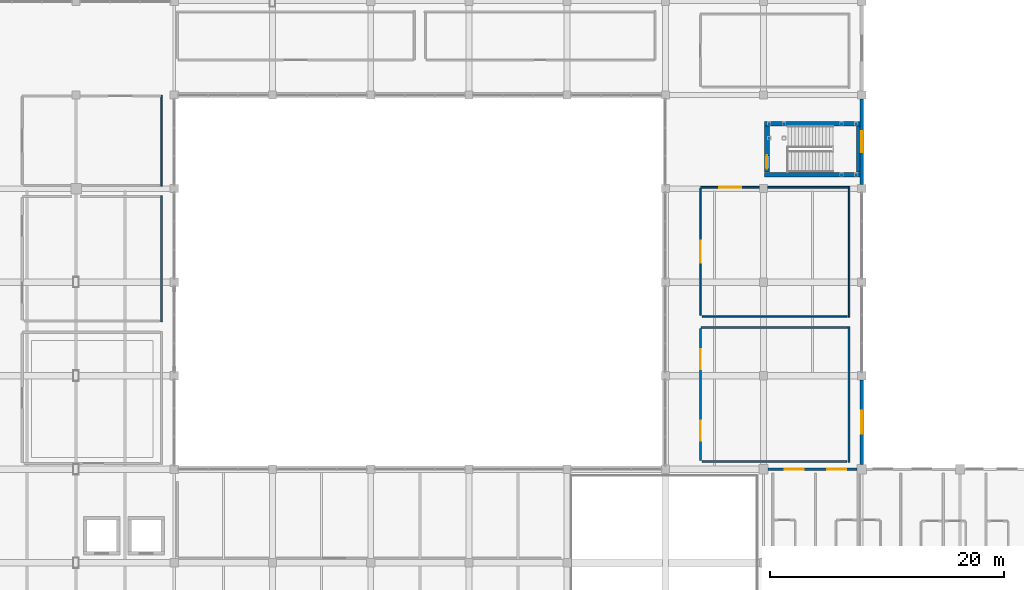
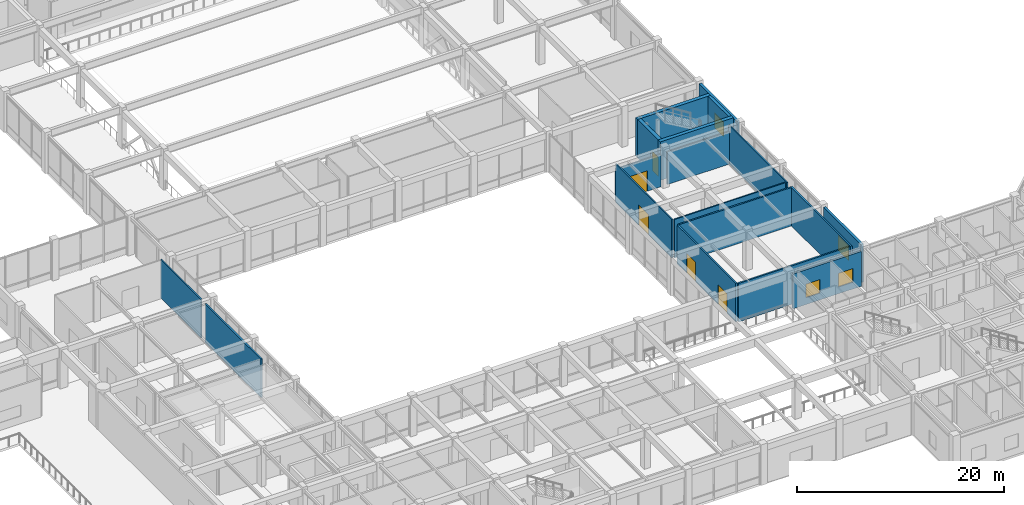
# One storey, part 54 of 76: 18 walls, 5 doors, 4 windows, 9 openings.
"""IFC4 building model written with IfcOpenShell, lengths in metres."""

from ifc_helpers import new_model, si_unit, direction, frame, frame_2d, origin, place, context, subcontext, project, spatial, rectangle, extrude, material, layer, layer_set, type_object, element, fill, save


model = new_model("IFC4")

# Units and contexts
model_context = context("Model", 3, precision=1e-05, world=origin(), true_north=direction((0.0, 1.0)))
body_context = subcontext(model_context, "Body", "Model", "MODEL_VIEW")
ifc_project = project(units=[si_unit("LENGTHUNIT", "METRE"), si_unit("AREAUNIT", "SQUARE_METRE"), si_unit("VOLUMEUNIT", "CUBIC_METRE"), si_unit("PLANEANGLEUNIT", "RADIAN"), si_unit("MASSUNIT", "GRAM", prefix="KILO")], contexts=[model_context])

# Site, building, storey
site_placement = place(None, origin())
site = spatial("IfcSite", under=ifc_project, at=site_placement, CompositionType="ELEMENT")
building_placement = place(site_placement, origin())
building = spatial("IfcBuilding", under=site, at=building_placement, Name="Naruveol Harbour Congress Hotel", CompositionType="ELEMENT")
storey_placement = place(building_placement, frame((0.0, 0.0, 11.39990234375)))
storey = spatial("IfcBuildingStorey", under=building, at=storey_placement, Name="L02", CompositionType="ELEMENT", Elevation=11.39990234375)

# Wall, openings, doors
ifc_material_1 = material(Name="Autoclaved Aerated Concrete Block", Category="concrete")
ifc_layer_1 = layer(ifc_material_1, 0.179931640625)
ifc_layer_set_1 = layer_set([ifc_layer_1], Name="Autoclaved Aerated Concrete Block")
wall_type_1 = type_object("IfcWallType", Name="ACOUSTIC HALL PARTITION WALL 180 EI60", PredefinedType="PARTITIONING", material=ifc_layer_set_1)
wall_1_placement = place(storey_placement, frame((112.199951171875, 32.760009765625, 0.0), z_axis=(0.0, 0.0, 1.0), x_axis=(0.0, 1.0, 0.0)))
wall_1 = element("IfcWall", 1, at=wall_1_placement, inside=storey, type_object=wall_type_1, Name="Meeting Room 206 west entry wall PW-180", PredefinedType="PARTITIONING", context=body_context, shape_type="SweptSolid", body=[
    extrude(rectangle(XDim=11.280029296875, YDim=0.179931640625, at=frame_2d((5.64013671875, 0.0))), origin(), (0.0, 0.0, 1.0), 4.53515625),
])
opening_1_placement = place(wall_1_placement, frame((1.699951171875, 0.0, 0.0)))
opening_1 = element("IfcOpeningElement", 2, at=opening_1_placement, cuts=wall_1, Name="Opening ID-MT-73", PredefinedType="OPENING", context=body_context, shape_type="SweptSolid", body=[
    extrude(rectangle(XDim=1.699951171875, YDim=2.300048828125, at=frame_2d((0.85009765625, 1.14990234375))), frame((0.0, 0.099853515625, 0.0), z_axis=(0.0, -1.0, 0.0), x_axis=(1.0, 0.0, 0.0)), (0.0, 0.0, 1.0), 0.199951171875),
])
opening_2_placement = place(wall_1_placement, frame((7.800048828125, 0.0, 0.0)))
opening_2 = element("IfcOpeningElement", 3, at=opening_2_placement, cuts=wall_1, Name="Opening ID-MT-73B", PredefinedType="OPENING", context=body_context, shape_type="SweptSolid", body=[
    extrude(rectangle(XDim=1.699951171875, YDim=2.300048828125, at=frame_2d((0.85009765625, 1.14990234375))), frame((0.0, 0.099853515625, 0.0), z_axis=(0.0, -1.0, 0.0), x_axis=(1.0, 0.0, 0.0)), (0.0, 0.0, 1.0), 0.199951171875),
])
ifc_material_2 = material(Name="Timber & Steel Acoustic Leaf", Category="steel")
door_type_1 = type_object("IfcDoorType", Name="MEETING SALON DOUBLE DOOR 1700X2300", OperationType="DOUBLE_DOOR_SINGLE_SWING", PredefinedType="DOOR", material=ifc_material_2)
door_1_placement = place(opening_1_placement, origin())
door_1 = element("IfcDoor", 4, at=door_1_placement, inside=storey, type_object=door_type_1, Name="Meeting Room 206 Entrance Door", OperationType="DOUBLE_DOOR_SINGLE_SWING", OverallHeight=2.300048828125, OverallWidth=1.699951171875, PredefinedType="DOOR", context=body_context, shape_type="SweptSolid", body=[
    extrude(rectangle(XDim=1.699951171875, YDim=2.300048828125, at=frame_2d((0.85009765625, 1.14990234375))), frame((0.0, 0.02490234375, 0.0), z_axis=(0.0, -1.0, 0.0), x_axis=(1.0, 0.0, 0.0)), (0.0, 0.0, 1.0), 0.050048828125),
])
fill(opening_1, door_1)
door_2_placement = place(opening_2_placement, origin())
door_2 = element("IfcDoor", 5, at=door_2_placement, inside=storey, type_object=door_type_1, Name="Meeting Room 206 Second Exit Door", OperationType="DOUBLE_DOOR_SINGLE_SWING", OverallHeight=2.300048828125, OverallWidth=1.699951171875, PredefinedType="DOOR", context=body_context, shape_type="SweptSolid", body=[
    extrude(rectangle(XDim=1.699951171875, YDim=2.300048828125, at=frame_2d((0.85009765625, 1.14990234375))), frame((0.0, 0.02490234375, 0.0), z_axis=(0.0, -1.0, 0.0), x_axis=(1.0, 0.0, 0.0)), (0.0, 0.0, 1.0), 0.050048828125),
])
fill(opening_2, door_2)

# Walls
wall_2_placement = place(storey_placement, frame((112.340087890625, 32.679931640625, 0.0), z_axis=(0.0, 0.0, 1.0), x_axis=(1.0, 0.0, 0.0)))
element("IfcWall", 6, at=wall_2_placement, inside=storey, type_object=wall_type_1, Name="Meeting Room 206 south partition PW-180", PredefinedType="PARTITIONING", context=body_context, shape_type="SweptSolid", body=[
    extrude(rectangle(XDim=12.409912109375, YDim=0.179931640625, at=frame_2d((6.205078125, 0.0))), origin(), (0.0, 0.0, 1.0), 4.53515625),
])
wall_3_placement = place(storey_placement, frame((66.1201171875, 44.60009765625, 0.0), z_axis=(0.0, 0.0, 1.0), x_axis=(0.0, 1.0, 0.0)))
element("IfcWall", 7, at=wall_3_placement, inside=storey, type_object=wall_type_1, Name="Meeting Room 203 east enclosure partition PW-180", PredefinedType="PARTITIONING", context=body_context, shape_type="SweptSolid", body=[
    extrude(rectangle(XDim=10.7998046875, YDim=0.179931640625, at=frame_2d((5.39990234375, 0.0))), origin(), (0.0, 0.0, 1.0), 4.53515625),
])
wall_4_placement = place(storey_placement, frame((124.919921875, 32.60009765625, 0.0), z_axis=(0.0, 0.0, 1.0), x_axis=(0.0, 1.0, 0.0)))
element("IfcWall", 8, at=wall_4_placement, inside=storey, type_object=wall_type_1, Name="Meeting Room 206 east enclosure partition PW-180", PredefinedType="PARTITIONING", context=body_context, shape_type="SweptSolid", body=[
    extrude(rectangle(XDim=11.599853515625, YDim=0.179931640625, at=frame_2d((5.7998046875, 0.0))), origin(), (0.0, 0.0, 1.0), 4.53515625),
])
wall_5_placement = place(storey_placement, frame((112.23193359375, 44.1201171875, 0.0), z_axis=(0.0, 0.0, 1.0), x_axis=(1.0, 0.0, 0.0)))
element("IfcWall", 9, at=wall_5_placement, inside=storey, type_object=wall_type_1, Name="Meeting Room 206 north enclosure partition PW-180", PredefinedType="PARTITIONING", context=body_context, shape_type="SweptSolid", body=[
    extrude(rectangle(XDim=12.59814453125, YDim=0.179931640625, at=frame_2d((6.299072265625, 0.0))), origin(), (0.0, 0.0, 1.0), 4.53515625),
])

# Wall, opening, door
ifc_material_3 = material(Name="Acoustic Double Stud Gypsum", Category="gypsum")
ifc_layer_2 = layer(ifc_material_3, 0.139892578125)
ifc_layer_set_2 = layer_set([ifc_layer_2], Name="Acoustic Double Stud Gypsum")
wall_type_2 = type_object("IfcWallType", Name="ACOUSTIC MEETING PARTITION WALL 140", PredefinedType="PARTITIONING", material=ifc_layer_set_2)
wall_6_placement = place(storey_placement, frame((112.199951171875, 45.159912109375, 0.0), z_axis=(0.0, 0.0, 1.0), x_axis=(0.0, 1.0, 0.0)))
wall_6 = element("IfcWall", 10, at=wall_6_placement, inside=storey, type_object=wall_type_2, Name="Breakout Salon 207 west entry wall PW-140", PredefinedType="PARTITIONING", context=body_context, shape_type="SweptSolid", body=[
    extrude(rectangle(XDim=10.880126953125, YDim=0.139892578125, at=frame_2d((5.43994140625, 0.0))), origin(), (0.0, 0.0, 1.0), 4.53515625),
])
opening_3_placement = place(wall_6_placement, frame((4.489990234375, 0.0, 0.0)))
opening_3 = element("IfcOpeningElement", 11, at=opening_3_placement, cuts=wall_6, Name="Opening ID-LG-74", PredefinedType="OPENING", context=body_context, shape_type="SweptSolid", body=[
    extrude(rectangle(XDim=1.89990234375, YDim=2.39990234375, at=frame_2d((0.949951171875, 1.199951171875))), frame((0.0, 0.079833984375, 0.0), z_axis=(0.0, -1.0, 0.0), x_axis=(1.0, 0.0, 0.0)), (0.0, 0.0, 1.0), 0.159912109375),
])
ifc_material_4 = material(Name="Timber & Steel Acoustic Leaf", Category="steel")
door_type_2 = type_object("IfcDoorType", Name="RESTAURANT AND LOUNGE GLAZED DOOR 1900X2400", OperationType="DOUBLE_DOOR_SINGLE_SWING", PredefinedType="DOOR", material=ifc_material_4)
door_3_placement = place(opening_3_placement, origin())
door_3 = element("IfcDoor", 12, at=door_3_placement, inside=storey, type_object=door_type_2, Name="Breakout Salon 207 Entrance Door", OperationType="DOUBLE_DOOR_SINGLE_SWING", OverallHeight=2.39990234375, OverallWidth=1.89990234375, PredefinedType="DOOR", context=body_context, shape_type="SweptSolid", body=[
    extrude(rectangle(XDim=1.89990234375, YDim=2.39990234375, at=frame_2d((0.949951171875, 1.199951171875))), frame((0.0, 0.02490234375, 0.0), z_axis=(0.0, -1.0, 0.0), x_axis=(1.0, 0.0, 0.0)), (0.0, 0.0, 1.0), 0.050048828125),
])
fill(opening_3, door_3)

# Walls
wall_7_placement = place(storey_placement, frame((112.340087890625, 45.080078125, 0.0), z_axis=(0.0, 0.0, 1.0), x_axis=(1.0, 0.0, 0.0)))
element("IfcWall", 13, at=wall_7_placement, inside=storey, type_object=wall_type_2, Name="Breakout Salon 207 south partition PW-140", PredefinedType="PARTITIONING", context=body_context, shape_type="SweptSolid", body=[
    extrude(rectangle(XDim=12.409912109375, YDim=0.139892578125, at=frame_2d((6.205078125, 0.0))), origin(), (0.0, 0.0, 1.0), 4.53515625),
])
wall_8_placement = place(storey_placement, frame((66.1201171875, 56.199951171875, 0.0), z_axis=(0.0, 0.0, 1.0), x_axis=(0.0, 1.0, 0.0)))
element("IfcWall", 14, at=wall_8_placement, inside=storey, type_object=wall_type_2, Name="Breakout Salon 204 east enclosure partition PW-140", PredefinedType="PARTITIONING", context=body_context, shape_type="SweptSolid", body=[
    extrude(rectangle(XDim=7.800048828125, YDim=0.139892578125, at=frame_2d((3.89990234375, 0.0))), origin(), (0.0, 0.0, 1.0), 4.53515625),
])
wall_9_placement = place(storey_placement, frame((124.919921875, 45.0, 0.0), z_axis=(0.0, 0.0, 1.0), x_axis=(0.0, 1.0, 0.0)))
element("IfcWall", 15, at=wall_9_placement, inside=storey, type_object=wall_type_2, Name="Breakout Salon 207 east enclosure partition PW-140", PredefinedType="PARTITIONING", context=body_context, shape_type="SweptSolid", body=[
    extrude(rectangle(XDim=11.199951171875, YDim=0.139892578125, at=frame_2d((5.60009765625, 0.0))), origin(), (0.0, 0.0, 1.0), 4.53515625),
])

# Wall, opening, door
wall_10_placement = place(storey_placement, frame((112.2119140625, 56.1201171875, 0.0), z_axis=(0.0, 0.0, 1.0), x_axis=(1.0, 0.0, 0.0)))
wall_10 = element("IfcWall", 16, at=wall_10_placement, inside=storey, type_object=wall_type_2, Name="Breakout Salon 207 north enclosure partition PW-140", PredefinedType="PARTITIONING", context=body_context, shape_type="SweptSolid", body=[
    extrude(rectangle(XDim=5.0380859375, YDim=0.139892578125, at=frame_2d((2.51904296875, 0.0))), origin(), (0.0, 0.0, 1.0), 3.85009765625),
])
opening_4_placement = place(wall_10_placement, frame((1.60009765625, 0.0, 0.0)))
opening_4 = element("IfcOpeningElement", 17, at=opening_4_placement, cuts=wall_10, Name="Opening ID-LG-74B", PredefinedType="OPENING", context=body_context, shape_type="SweptSolid", body=[
    extrude(rectangle(XDim=1.89990234375, YDim=2.39990234375, at=frame_2d((0.949951171875, 1.199951171875))), frame((0.0, 0.079833984375, 0.0), z_axis=(0.0, -1.0, 0.0), x_axis=(1.0, 0.0, 0.0)), (0.0, 0.0, 1.0), 0.159912109375),
])
door_4_placement = place(opening_4_placement, origin())
door_4 = element("IfcDoor", 18, at=door_4_placement, inside=storey, type_object=door_type_2, Name="Breakout Salon 207 Second Exit Door", OperationType="DOUBLE_DOOR_SINGLE_SWING", OverallHeight=2.39990234375, OverallWidth=1.89990234375, PredefinedType="DOOR", context=body_context, shape_type="SweptSolid", body=[
    extrude(rectangle(XDim=1.89990234375, YDim=2.39990234375, at=frame_2d((0.949951171875, 1.199951171875))), frame((0.0, 0.02490234375, 0.0), z_axis=(0.0, -1.0, 0.0), x_axis=(1.0, 0.0, 0.0)), (0.0, 0.0, 1.0), 0.050048828125),
])
fill(opening_4, door_4)

# Wall
wall_11_placement = place(storey_placement, frame((117.949951171875, 56.1201171875, 0.0), z_axis=(0.0, 0.0, 1.0), x_axis=(1.0, 0.0, 0.0)))
element("IfcWall", 19, at=wall_11_placement, inside=storey, type_object=wall_type_2, Name="Breakout Salon 207 north enclosure partition PW-140", PredefinedType="PARTITIONING", context=body_context, shape_type="SweptSolid", body=[
    extrude(rectangle(XDim=6.900146484375, YDim=0.139892578125, at=frame_2d((3.4501953125, 0.0))), origin(), (0.0, 0.0, 1.0), 3.85009765625),
])

# Wall, opening, window
ifc_material_5 = material(Name="Precast concrete C40/50", Category="concrete")
ifc_layer_3 = layer(ifc_material_5, 0.280029296875)
ifc_layer_set_3 = layer_set([ifc_layer_3], Name="Precast concrete C40/50")
wall_type_3 = type_object("IfcWallType", Name="ARCHITECTURAL PRECAST FACADE WALL 280", PredefinedType="SOLIDWALL", material=ifc_layer_set_3)
wall_12_placement = place(storey_placement, frame((126.0, 63.64990234375, 0.0), z_axis=(0.0, 0.0, 1.0), x_axis=(0.0, -1.0, 0.0)))
wall_12 = element("IfcWall", 20, at=wall_12_placement, inside=storey, type_object=wall_type_3, Name="Courtyard wing east garden wall EW-280", PredefinedType="SOLIDWALL", context=body_context, shape_type="SweptSolid", body=[
    extrude(rectangle(XDim=7.2998046875, YDim=0.280029296875, at=frame_2d((3.64990234375, 0.0))), origin(), (0.0, 0.0, 1.0), 4.5),
])
opening_5_placement = place(wall_12_placement, frame((2.75, 0.0, 1.0)))
opening_5 = element("IfcOpeningElement", 21, at=opening_5_placement, cuts=wall_12, Name="Opening W-04", PredefinedType="OPENING", context=body_context, shape_type="SweptSolid", body=[
    extrude(rectangle(XDim=1.800048828125, YDim=1.699951171875, at=frame_2d((0.89990234375, 0.85009765625))), frame((0.0, 0.14990234375, 0.0), z_axis=(0.0, -1.0, 0.0), x_axis=(1.0, 0.0, 0.0)), (0.0, 0.0, 1.0), 0.300048828125),
])
ifc_material_6 = material(Name="Low-E Triple Glazing in Thermal Aluminium", Category="aluminium")
window_type_1 = type_object("IfcWindowType", Name="DELUXE PANORAMA WINDOW 1800X1700", PartitioningType="DOUBLE_PANEL_VERTICAL", PredefinedType="WINDOW", material=ifc_material_6)
window_1_placement = place(opening_5_placement, origin())
window_1 = element("IfcWindow", 22, at=window_1_placement, inside=storey, type_object=window_type_1, Name="Window W-04 #150", OverallHeight=1.699951171875, OverallWidth=1.800048828125, PartitioningType="DOUBLE_PANEL_VERTICAL", PredefinedType="WINDOW", context=body_context, shape_type="SweptSolid", body=[
    extrude(rectangle(XDim=1.800048828125, YDim=1.699951171875, at=frame_2d((0.89990234375, 0.85009765625))), frame((0.0, 0.030029296875, 0.0), z_axis=(0.0, -1.0, 0.0), x_axis=(1.0, 0.0, 0.0)), (0.0, 0.0, 1.0), 0.06005859375),
])
fill(opening_5, window_1)

wall_13_placement = place(storey_placement, frame((126.0, 39.64990234375, 0.0), z_axis=(0.0, 0.0, 1.0), x_axis=(0.0, -1.0, 0.0)))
wall_13 = element("IfcWall", 23, at=wall_13_placement, inside=storey, type_object=wall_type_3, Name="Courtyard wing east garden wall EW-280", PredefinedType="SOLIDWALL", context=body_context, shape_type="SweptSolid", body=[
    extrude(rectangle(XDim=7.25, YDim=0.280029296875, at=frame_2d((3.625, 0.0))), origin(), (0.0, 0.0, 1.0), 4.5),
])
opening_6_placement = place(wall_13_placement, frame((2.625, 0.0, 1.0)))
opening_6 = element("IfcOpeningElement", 24, at=opening_6_placement, cuts=wall_13, Name="Opening W-05", PredefinedType="OPENING", context=body_context, shape_type="SweptSolid", body=[
    extrude(rectangle(XDim=2.0, YDim=1.75, at=frame_2d((1.0, 0.875))), frame((0.0, 0.14990234375, 0.0), z_axis=(0.0, -1.0, 0.0), x_axis=(1.0, 0.0, 0.0)), (0.0, 0.0, 1.0), 0.300048828125),
])
ifc_material_7 = material(Name="Low-E Triple Glazing in Thermal Aluminium", Category="aluminium")
window_type_2 = type_object("IfcWindowType", Name="GARDEN SUITE WINDOW 2000X1750", PartitioningType="DOUBLE_PANEL_VERTICAL", PredefinedType="WINDOW", material=ifc_material_7)
window_2_placement = place(opening_6_placement, origin())
window_2 = element("IfcWindow", 25, at=window_2_placement, inside=storey, type_object=window_type_2, Name="Window W-05 #151", OverallHeight=1.75, OverallWidth=2.0, PartitioningType="DOUBLE_PANEL_VERTICAL", PredefinedType="WINDOW", context=body_context, shape_type="SweptSolid", body=[
    extrude(rectangle(XDim=2.0, YDim=1.75, at=frame_2d((1.0, 0.875))), frame((0.0, 0.030029296875, 0.0), z_axis=(0.0, -1.0, 0.0), x_axis=(1.0, 0.0, 0.0)), (0.0, 0.0, 1.0), 0.06005859375),
])
fill(opening_6, window_2)

# Wall, openings, windows
ifc_material_8 = material(Name="Concrete C40/50", Category="concrete")
ifc_layer_4 = layer(ifc_material_8, 0.239990234375)
ifc_layer_set_4 = layer_set([ifc_layer_4], Name="Concrete C40/50")
wall_type_4 = type_object("IfcWallType", Name="INSULATED HOTEL SPANDREL WALL 240", PredefinedType="SOLIDWALL", material=ifc_layer_set_4)
wall_14_placement = place(storey_placement, frame((118.0, 32.0, 0.0), z_axis=(0.0, 0.0, 1.0), x_axis=(1.0, 0.0, 0.0)))
wall_14 = element("IfcWall", 26, at=wall_14_placement, inside=storey, type_object=wall_type_4, Name="Hotel north bay wall L02 EW-240", PredefinedType="SOLIDWALL", context=body_context, shape_type="SweptSolid", body=[
    extrude(rectangle(XDim=7.60009765625, YDim=0.239990234375, at=frame_2d((3.800048828125, 0.0))), origin(), (0.0, 0.0, 1.0), 4.10009765625),
])
opening_7_placement = place(wall_14_placement, frame((1.419921875, 0.0, 0.800048828125)))
opening_7 = element("IfcOpeningElement", 27, at=opening_7_placement, cuts=wall_14, Name="Opening W-03", PredefinedType="OPENING", context=body_context, shape_type="SweptSolid", body=[
    extrude(rectangle(XDim=1.60009765625, YDim=1.60009765625, at=frame_2d((0.800048828125, 0.800048828125))), frame((0.0, 0.1298828125, 0.0), z_axis=(0.0, -1.0, 0.0), x_axis=(1.0, 0.0, 0.0)), (0.0, 0.0, 1.0), 0.260009765625),
])
opening_8_placement = place(wall_14_placement, frame((5.06494140625, 0.0, 0.800048828125)))
opening_8 = element("IfcOpeningElement", 28, at=opening_8_placement, cuts=wall_14, Name="Opening W-03", PredefinedType="OPENING", context=body_context, shape_type="SweptSolid", body=[
    extrude(rectangle(XDim=1.60009765625, YDim=1.60009765625, at=frame_2d((0.800048828125, 0.800048828125))), frame((0.0, 0.1298828125, 0.0), z_axis=(0.0, -1.0, 0.0), x_axis=(1.0, 0.0, 0.0)), (0.0, 0.0, 1.0), 0.260009765625),
])
ifc_material_9 = material(Name="Low-E Triple Glazing in Thermal Aluminium", Category="aluminium")
window_type_3 = type_object("IfcWindowType", Name="DELUXE GUEST WINDOW 1600X1600", PartitioningType="SINGLE_PANEL", PredefinedType="WINDOW", material=ifc_material_9)
window_3_placement = place(opening_7_placement, origin())
window_3 = element("IfcWindow", 29, at=window_3_placement, inside=storey, type_object=window_type_3, Name="Window W-03 #186", OverallHeight=1.60009765625, OverallWidth=1.60009765625, PartitioningType="SINGLE_PANEL", PredefinedType="WINDOW", context=body_context, shape_type="SweptSolid", body=[
    extrude(rectangle(XDim=1.60009765625, YDim=1.60009765625, at=frame_2d((0.800048828125, 0.800048828125))), frame((0.0, 0.030029296875, 0.0), z_axis=(0.0, -1.0, 0.0), x_axis=(1.0, 0.0, 0.0)), (0.0, 0.0, 1.0), 0.06005859375),
])
fill(opening_7, window_3)
window_4_placement = place(opening_8_placement, origin())
window_4 = element("IfcWindow", 30, at=window_4_placement, inside=storey, type_object=window_type_3, Name="Window W-03 #187", OverallHeight=1.60009765625, OverallWidth=1.60009765625, PartitioningType="SINGLE_PANEL", PredefinedType="WINDOW", context=body_context, shape_type="SweptSolid", body=[
    extrude(rectangle(XDim=1.60009765625, YDim=1.60009765625, at=frame_2d((0.800048828125, 0.800048828125))), frame((0.0, 0.030029296875, 0.0), z_axis=(0.0, -1.0, 0.0), x_axis=(1.0, 0.0, 0.0)), (0.0, 0.0, 1.0), 0.06005859375),
])
fill(opening_8, window_4)

# Walls
ifc_material_10 = material(Name="Concrete C50/60", Category="concrete")
ifc_layer_5 = layer(ifc_material_10, 0.39990234375)
ifc_layer_set_5 = layer_set([ifc_layer_5], Name="Concrete C50/60")
wall_type_5 = type_object("IfcWallType", Name="RC CORE SHEAR WALL 400 EI120", PredefinedType="SHEAR", material=ifc_layer_set_5)
for number, where, z_axis, x_axis, name in (
    (31, (117.699951171875, 57.199951171875, 0.0), (0.0, 0.0, 1.0), (1.0, 0.0, 0.0), "Stair ST9 south core wall CW-400"),
    (32, (117.699951171875, 61.56005859375, 0.0), (0.0, 0.0, 1.0), (1.0, 0.0, 0.0), "Stair ST9 north core wall CW-400"),
):
    element("IfcWall", number, at=place(storey_placement, frame(where, z_axis=z_axis, x_axis=x_axis)), inside=storey, type_object=wall_type_5, Name=name, PredefinedType="SHEAR", context=body_context, shape_type="SweptSolid", body=[
        extrude(rectangle(XDim=8.150146484375, YDim=0.39990234375, at=frame_2d((4.0751953125, 0.0))), origin(), (0.0, 0.0, 1.0), 4.53515625),
    ])

# Wall, opening, door
wall_15_placement = place(storey_placement, frame((117.89990234375, 57.405029296875, 0.0), z_axis=(0.0, 0.0, 1.0), x_axis=(0.0, 1.0, 0.0)))
wall_15 = element("IfcWall", 33, at=wall_15_placement, inside=storey, type_object=wall_type_5, Name="Stair ST9 west core wall CW-400", PredefinedType="SHEAR", context=body_context, shape_type="SweptSolid", body=[
    extrude(rectangle(XDim=3.949951171875, YDim=0.39990234375, at=frame_2d((1.97509765625, 0.0))), origin(), (0.0, 0.0, 1.0), 4.53515625),
])
opening_9_placement = place(wall_15_placement, frame((0.280029296875, 0.0, 0.0)))
opening_9 = element("IfcOpeningElement", 34, at=opening_9_placement, cuts=wall_15, Name="Opening FD-ST9-L02", PredefinedType="OPENING", context=body_context, shape_type="SweptSolid", body=[
    extrude(rectangle(XDim=1.159912109375, YDim=2.199951171875, at=frame_2d((0.580078125, 1.10009765625))), frame((0.0, 0.2099609375, 0.0), z_axis=(0.0, -1.0, 0.0), x_axis=(1.0, 0.0, 0.0)), (0.0, 0.0, 1.0), 0.419921875),
])
ifc_material_11 = material(Name="Timber & Steel Acoustic Leaf", Category="steel")
door_type_3 = type_object("IfcDoorType", Name="SPECIAL ESCAPE STAIR FIRE DOOR 1160X2200", OperationType="NOTDEFINED", PredefinedType="DOOR", material=ifc_material_11)
door_5_placement = place(opening_9_placement, origin())
door_5 = element("IfcDoor", 35, at=door_5_placement, inside=storey, type_object=door_type_3, Name="Enclosed Exit Stair Door ST9 L02", OperationType="SINGLE_SWING_RIGHT", OverallHeight=2.199951171875, OverallWidth=1.159912109375, PredefinedType="DOOR", context=body_context, shape_type="SweptSolid", body=[
    extrude(rectangle(XDim=1.159912109375, YDim=2.199951171875, at=frame_2d((0.580078125, 1.10009765625))), frame((0.0, 0.02490234375, 0.0), z_axis=(0.0, -1.0, 0.0), x_axis=(1.0, 0.0, 0.0)), (0.0, 0.0, 1.0), 0.050048828125),
])
fill(opening_9, door_5)

# Wall
ifc_material_12 = material(Name="Concrete C50/60", Category="concrete")
ifc_layer_6 = layer(ifc_material_12, 0.300048828125)
ifc_layer_set_6 = layer_set([ifc_layer_6], Name="Concrete C50/60")
wall_type_6 = type_object("IfcWallType", Name="RC STAIR AND HOISTWAY SHEAR WALL 300 EI120", PredefinedType="SHEAR", material=ifc_layer_set_6)
wall_16_placement = place(storey_placement, frame((125.699951171875, 57.405029296875, 0.0), z_axis=(0.0, 0.0, 1.0), x_axis=(0.0, 1.0, 0.0)))
element("IfcWall", 36, at=wall_16_placement, inside=storey, type_object=wall_type_6, Name="Stair ST9 east core wall SW-300", PredefinedType="SHEAR", context=body_context, shape_type="SweptSolid", body=[
    extrude(rectangle(XDim=3.949951171875, YDim=0.300048828125, at=frame_2d((1.97509765625, 0.0))), origin(), (0.0, 0.0, 1.0), 4.53515625),
])

save(model, "model.ifc")
